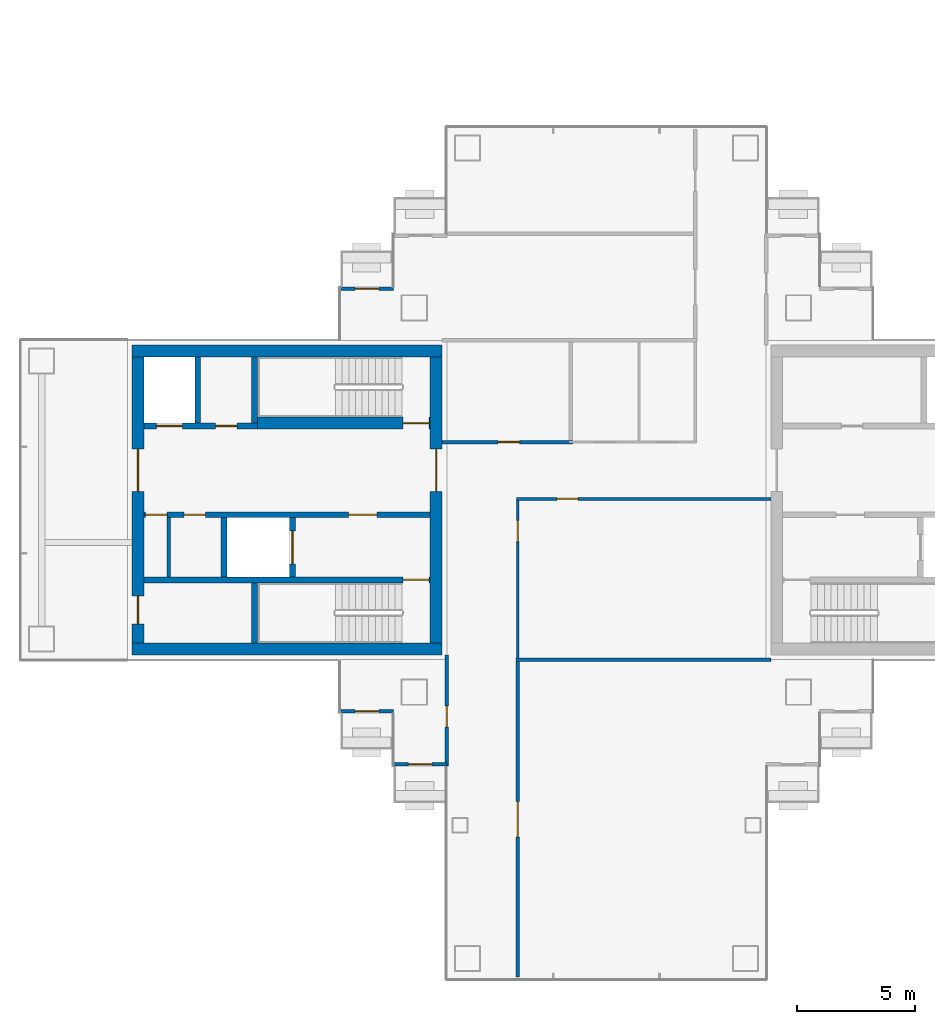
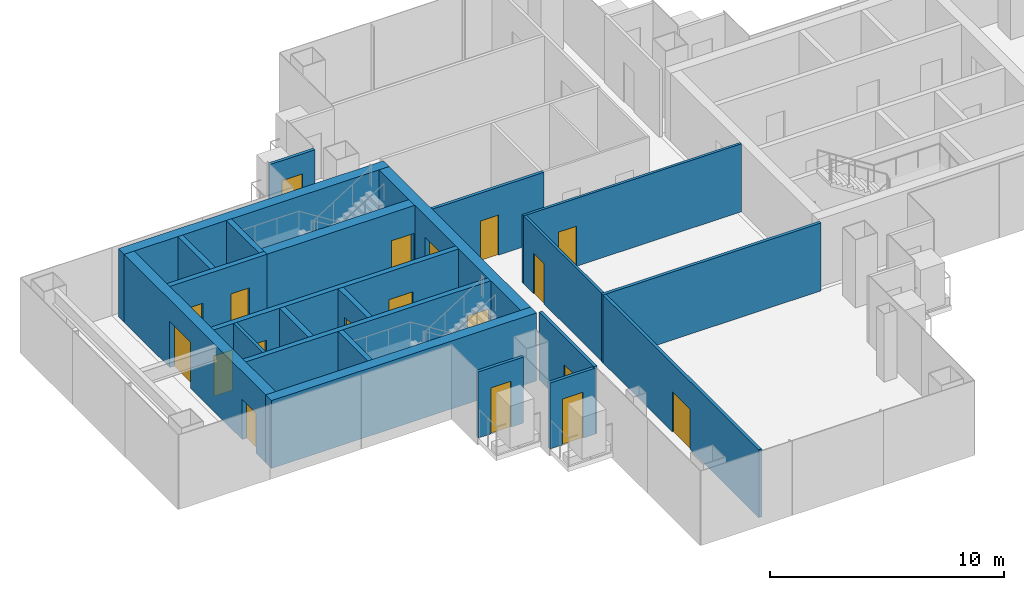
# One storey, part 9 of 16: 23 walls, 19 doors, 19 openings.
"""IFC4 building model written with IfcOpenShell, lengths in metres."""

import ifcopenshell
import ifcopenshell.guid

model = None  # the IFC model being written
_history = None  # IfcOwnerHistory: only IFC2X3 demands one
_inside = {}  # id of a spatial element -> (the spatial element, [elements in it])
_under = {}  # id of a project, library or spatial element -> (it, [spatial elements below it])
_declared = {}  # id of a project -> (the project, [libraries it declares])
_typed = {}  # id of a type object -> (the type object, [elements of that type])
_made_of = {}  # id of a material, layer set ... -> (it, [elements and type objects made of it])


def new_model(schema):
    """Start an empty IFC model of exactly this schema.

    Asked for "IFC4X3", IfcOpenShell would pick the latest addendum, in which some entities
    have other attributes; the version numbers below select the first issue.
    IFC2X3 requires an IfcOwnerHistory on every rooted entity: one is made here for all.
    """
    global model, _history
    if schema == "IFC4X3":
        model = ifcopenshell.file(schema_version=(4, 3, 0, 0))
    else:
        model = ifcopenshell.file(schema=schema)
    _inside.clear()
    _under.clear()
    _declared.clear()
    _typed.clear()
    _made_of.clear()
    _history = None
    if model.schema == "IFC2X3":
        org = make("IfcOrganization", Name="unknown")
        user = make(
            "IfcPersonAndOrganization",
            ThePerson=make("IfcPerson", FamilyName="unknown"),
            TheOrganization=org,
        )
        app = make(
            "IfcApplication",
            ApplicationDeveloper=org,
            Version="unknown",
            ApplicationFullName="unknown",
            ApplicationIdentifier="unknown",
        )
        _history = make(
            "IfcOwnerHistory",
            OwningUser=user,
            OwningApplication=app,
            ChangeAction="ADDED",
            CreationDate=0,
        )
    return model


def make(cls, **values):
    """One entity of the class cls with the attributes given. An attribute that is None is left unset."""
    return model.create_entity(
        cls, **{name: value for name, value in values.items() if value is not None}
    )


def rooted(cls, **values):
    """An entity with a GlobalId (a new one), such as an element, a storey or a relation."""
    return make(cls, GlobalId=ifcopenshell.guid.new(), OwnerHistory=_history, **values)


def si_unit(unit_type, name, prefix=None):
    """IfcSIUnit, for example si_unit("LENGTHUNIT", "METRE", prefix="MILLI")."""
    return make("IfcSIUnit", UnitType=unit_type, Prefix=prefix, Name=name)


def assignment(units):
    """IfcUnitAssignment: the units of a project."""
    return None if units is None else make("IfcUnitAssignment", Units=units)


def point(xyz):
    """IfcCartesianPoint."""
    return None if xyz is None else make("IfcCartesianPoint", Coordinates=xyz)


def direction(xyz):
    """IfcDirection."""
    return None if xyz is None else make("IfcDirection", DirectionRatios=xyz)


def frame(location, z_axis=None, x_axis=None):
    """IfcAxis2Placement3D, a coordinate frame: its origin and axes. An axis left out is left unset."""
    return make(
        "IfcAxis2Placement3D",
        Location=point(location),
        Axis=direction(z_axis),
        RefDirection=direction(x_axis),
    )


def frame_2d(location, x_axis=None):
    """IfcAxis2Placement2D, a coordinate frame in the plane: its origin and x axis."""
    return make(
        "IfcAxis2Placement2D", Location=point(location), RefDirection=direction(x_axis)
    )


def origin():
    """The frame at (0, 0, 0) with its axes left unset."""
    return frame((0.0, 0.0, 0.0))


def place(relative_to, where):
    """IfcLocalPlacement: puts the frame where relative to a parent placement (None: the world)."""
    return make(
        "IfcLocalPlacement", PlacementRelTo=relative_to, RelativePlacement=where
    )


def context(
    kind, dimensions, precision=None, world=None, true_north=None, identifier=None
):
    """IfcGeometricRepresentationContext, for example the 3D "Model" context."""
    return make(
        "IfcGeometricRepresentationContext",
        ContextIdentifier=identifier,
        ContextType=kind,
        CoordinateSpaceDimension=dimensions,
        Precision=precision,
        WorldCoordinateSystem=world,
        TrueNorth=true_north,
    )


def subcontext(parent, identifier, kind, view, scale=None):
    """IfcGeometricRepresentationSubContext, for example "Body" below "Model"."""
    return make(
        "IfcGeometricRepresentationSubContext",
        ContextIdentifier=identifier,
        ContextType=kind,
        ParentContext=parent,
        TargetScale=scale,
        TargetView=view,
    )


def project(units=None, contexts=None):
    """IfcProject with its units and contexts."""
    return rooted(
        "IfcProject",
        Name="project",
        RepresentationContexts=contexts,
        UnitsInContext=assignment(units),
    )


def spatial(cls, under=None, at=None, **own):
    """A site, building, storey or space (cls), placed at a placement, below another one or the project."""
    s = rooted(cls, ObjectPlacement=at, **own)
    if under is not None:
        _under.setdefault(under.id(), (under, []))[1].append(s)
    return s


def profile(cls, at=None, kind="AREA", **sizes):
    """A parametric profile (cls). Its sizes go by their IFC names, for example OverallWidth=200.0."""
    return make(cls, ProfileType=kind, Position=at, **sizes)


def rectangle(**sizes):
    """IfcRectangleProfileDef."""
    return profile("IfcRectangleProfileDef", **sizes)


def extrude(swept, where, along, depth):
    """IfcExtrudedAreaSolid: the profile swept, set in the frame where, extruded along a direction by depth."""
    return make(
        "IfcExtrudedAreaSolid",
        SweptArea=swept,
        Position=where,
        ExtrudedDirection=direction(along),
        Depth=depth,
    )


def shape(context_of_items, identifier, shape_type, items):
    """IfcShapeRepresentation: the items that make up one representation, for example the "Body"."""
    return make(
        "IfcShapeRepresentation",
        ContextOfItems=context_of_items,
        RepresentationIdentifier=identifier,
        RepresentationType=shape_type,
        Items=items,
    )


def material(Name=None, Category=None):
    """IfcMaterial."""
    return make("IfcMaterial", Name=Name, Category=Category)


def layer(
    of_material, thickness, ventilated=None, Name=None, Category=None, Priority=None
):
    """IfcMaterialLayer: one layer of a wall or slab, of a material (None: an air gap)."""
    return make(
        "IfcMaterialLayer",
        Material=of_material,
        LayerThickness=thickness,
        IsVentilated=ventilated,
        Name=Name,
        Category=Category,
        Priority=Priority,
    )


def layer_set(layers, Name=None):
    """IfcMaterialLayerSet."""
    return make("IfcMaterialLayerSet", MaterialLayers=layers, LayerSetName=Name)


def made_of(thing, what):
    """Note that an element or type object is made of a material, layer set ...; save() writes the relation."""
    if what is not None:
        _made_of.setdefault(what.id(), (what, []))[1].append(thing)
    return thing


def type_object(cls, material=None, **own):
    """A type object (cls), such as IfcWallType, which elements share."""
    return made_of(rooted(cls, **own), material)


def element(
    cls,
    number,
    at=None,
    inside=None,
    cuts=None,
    type_object=None,
    material=None,
    context=None,
    identifier="Body",
    shape_type=None,
    held_by="IfcProductDefinitionShape",
    body=None,
    shapes=None,
    **own,
):
    """One element of the class cls, such as IfcWall. Its Tag is "e" and its number.

    at: its placement. inside: the storey or other place that contains it. cuts: it is an
    opening in that element (IfcRelVoidsElement). A single representation is given by context,
    identifier, shape_type and body (its items); several are given by shapes. held_by: the class
    of the entity that holds the representations. save() writes the other relations.
    """
    e = rooted(cls, Tag="e%d" % number, ObjectPlacement=at, **own)
    if body is not None:
        shapes = [shape(context, identifier, shape_type, body)]
    if shapes is not None:
        e.Representation = make(held_by, Representations=shapes)
    if inside is not None:
        _inside.setdefault(inside.id(), (inside, []))[1].append(e)
    if cuts is not None:
        rooted(
            "IfcRelVoidsElement", RelatingBuildingElement=cuts, RelatedOpeningElement=e
        )
    if type_object is not None:
        _typed.setdefault(type_object.id(), (type_object, []))[1].append(e)
    return made_of(e, material)


def fill(opening, filler):
    """IfcRelFillsElement: the door or window that sits in an opening."""
    return rooted(
        "IfcRelFillsElement",
        RelatingOpeningElement=opening,
        RelatedBuildingElement=filler,
    )


def aggregate(whole, parts):
    """IfcRelAggregates: a whole, such as a stair, and the parts it consists of."""
    return rooted("IfcRelAggregates", RelatingObject=whole, RelatedObjects=parts)


def save(model, path):
    """Write the relations noted so far, then the file.

    IfcRelAggregates (storeys below a building ...), IfcRelContainedInSpatialStructure (elements
    in a storey), IfcRelDefinesByType, IfcRelAssociatesMaterial and IfcRelDeclares: one each for
    every whole, place, type object, material and project.
    """
    for whole, parts in _under.values():
        aggregate(whole, parts)
    for where, things in _inside.values():
        rooted(
            "IfcRelContainedInSpatialStructure",
            RelatedElements=things,
            RelatingStructure=where,
        )
    for kind, things in _typed.values():
        rooted("IfcRelDefinesByType", RelatedObjects=things, RelatingType=kind)
    for what, things in _made_of.values():
        rooted("IfcRelAssociatesMaterial", RelatedObjects=things, RelatingMaterial=what)
    for by, libraries in _declared.values():
        rooted("IfcRelDeclares", RelatingContext=by, RelatedDefinitions=libraries)
    model.write(path)


model = new_model("IFC4")

# Units and contexts
model_context = context("Model", 3, precision=1e-05, world=origin(), true_north=direction((0.0, 1.0)))
body_context = subcontext(model_context, "Body", "Model", "MODEL_VIEW")
ifc_project = project(units=[si_unit("LENGTHUNIT", "METRE"), si_unit("AREAUNIT", "SQUARE_METRE"), si_unit("VOLUMEUNIT", "CUBIC_METRE"), si_unit("PLANEANGLEUNIT", "RADIAN"), si_unit("MASSUNIT", "GRAM", prefix="KILO")], contexts=[model_context])

# Site, building, storey
site_placement = place(None, origin())
site = spatial("IfcSite", under=ifc_project, at=site_placement, CompositionType="ELEMENT")
building_placement = place(site_placement, origin())
building = spatial("IfcBuilding", under=site, at=building_placement, Name="Shamsa Quay Exchange Towers", CompositionType="ELEMENT")
storey_placement = place(building_placement, frame((0.0, 0.0, 154.5)))
storey = spatial("IfcBuildingStorey", under=building, at=storey_placement, Name="L36", CompositionType="ELEMENT", Elevation=154.5)

# Wall, opening, door
ifc_material_1 = material(Name="Aluminium EN AW-6063 T6, black anodised, with black enamelled glass infill", Category="aluminium")
ifc_layer_1 = layer(ifc_material_1, 0.14990234375)
ifc_layer_set_1 = layer_set([ifc_layer_1], Name="BALCONY DOOR BAY WALL 150")
wall_type_1 = type_object("IfcWallType", Name="BALCONY DOOR BAY WALL 150", PredefinedType="SOLIDWALL", material=ifc_layer_set_1)
wall_1_placement = place(storey_placement, frame((-45.0, 8.925048828125, 0.0)))
wall_1 = element("IfcWall", 1, at=wall_1_placement, inside=storey, type_object=wall_type_1, Name="Door bay T1-PKWN L36", PredefinedType="SOLIDWALL", context=body_context, shape_type="SweptSolid", body=[
    extrude(rectangle(XDim=2.25, YDim=0.14990234375, at=frame_2d((1.125, 0.0))), origin(), (0.0, 0.0, 1.0), 3.449951171875),
])
opening_1_placement = place(wall_1_placement, frame((0.625, 0.0, 0.0)))
opening_1 = element("IfcOpeningElement", 2, at=opening_1_placement, cuts=wall_1, Name="Opening XD230", PredefinedType="OPENING", context=body_context, shape_type="SweptSolid", body=[
    extrude(rectangle(XDim=1.0, YDim=2.39990234375, at=frame_2d((0.5, 1.199951171875))), frame((0.0, 0.0849609375, 0.0), z_axis=(0.0, -1.0, 0.0), x_axis=(1.0, 0.0, 0.0)), (0.0, 0.0, 1.0), 0.169921875),
])
ifc_material_2 = material(Name="Aluminium EN AW-6063 T6, black anodised, with laminated glass leaf", Category="aluminium")
door_type_1 = type_object("IfcDoorType", Name="BALCONY DOOR 1000x2400", OperationType="SINGLE_SWING_LEFT", PredefinedType="DOOR", material=ifc_material_2)
door_1_placement = place(opening_1_placement, origin())
door_1 = element("IfcDoor", 3, at=door_1_placement, inside=storey, type_object=door_type_1, Name="Balcony door T1-PKWN L36", OperationType="SINGLE_SWING_RIGHT", OverallHeight=2.39990234375, OverallWidth=1.0, PredefinedType="DOOR", context=body_context, shape_type="SweptSolid", body=[
    extrude(rectangle(XDim=1.0, YDim=2.39990234375, at=frame_2d((0.5, 1.199951171875))), frame((0.0, 0.02490234375, 0.0), z_axis=(0.0, -1.0, 0.0), x_axis=(1.0, 0.0, 0.0)), (0.0, 0.0, 1.0), 0.050048828125),
])
fill(opening_1, door_1)

wall_2_placement = place(storey_placement, frame((-42.75, -8.925048828125, 0.0), z_axis=(0.0, 0.0, 1.0), x_axis=(-1.0, 0.0, 0.0)))
wall_2 = element("IfcWall", 4, at=wall_2_placement, inside=storey, type_object=wall_type_1, Name="Door bay T1-PKWS L36", PredefinedType="SOLIDWALL", context=body_context, shape_type="SweptSolid", body=[
    extrude(rectangle(XDim=2.25, YDim=0.14990234375, at=frame_2d((1.125, 0.0))), origin(), (0.0, 0.0, 1.0), 3.449951171875),
])
opening_2_placement = place(wall_2_placement, frame((0.625, 0.0, 0.0)))
opening_2 = element("IfcOpeningElement", 5, at=opening_2_placement, cuts=wall_2, Name="Opening XD231", PredefinedType="OPENING", context=body_context, shape_type="SweptSolid", body=[
    extrude(rectangle(XDim=1.0, YDim=2.39990234375, at=frame_2d((0.5, 1.199951171875))), frame((0.0, 0.0849609375, 0.0), z_axis=(0.0, -1.0, 0.0), x_axis=(1.0, 0.0, 0.0)), (0.0, 0.0, 1.0), 0.169921875),
])
door_2_placement = place(opening_2_placement, origin())
door_2 = element("IfcDoor", 6, at=door_2_placement, inside=storey, type_object=door_type_1, Name="Balcony door T1-PKWS L36", OperationType="SINGLE_SWING_LEFT", OverallHeight=2.39990234375, OverallWidth=1.0, PredefinedType="DOOR", context=body_context, shape_type="SweptSolid", body=[
    extrude(rectangle(XDim=1.0, YDim=2.39990234375, at=frame_2d((0.5, 1.199951171875))), frame((0.0, 0.02490234375, 0.0), z_axis=(0.0, -1.0, 0.0), x_axis=(1.0, 0.0, 0.0)), (0.0, 0.0, 1.0), 0.050048828125),
])
fill(opening_2, door_2)

wall_3_placement = place(storey_placement, frame((-40.5, -11.175048828125, 0.0), z_axis=(0.0, 0.0, 1.0), x_axis=(-1.0, 0.0, 0.0)))
wall_3 = element("IfcWall", 7, at=wall_3_placement, inside=storey, type_object=wall_type_1, Name="Door bay T1-PKWS L36", PredefinedType="SOLIDWALL", context=body_context, shape_type="SweptSolid", body=[
    extrude(rectangle(XDim=2.25, YDim=0.14990234375, at=frame_2d((1.125, 0.0))), origin(), (0.0, 0.0, 1.0), 3.449951171875),
])
opening_3_placement = place(wall_3_placement, frame((0.625, 0.0, 0.0)))
opening_3 = element("IfcOpeningElement", 8, at=opening_3_placement, cuts=wall_3, Name="Opening XD232", PredefinedType="OPENING", context=body_context, shape_type="SweptSolid", body=[
    extrude(rectangle(XDim=1.0, YDim=2.39990234375, at=frame_2d((0.5, 1.199951171875))), frame((0.0, 0.0849609375, 0.0), z_axis=(0.0, -1.0, 0.0), x_axis=(1.0, 0.0, 0.0)), (0.0, 0.0, 1.0), 0.169921875),
])
door_3_placement = place(opening_3_placement, origin())
door_3 = element("IfcDoor", 9, at=door_3_placement, inside=storey, type_object=door_type_1, Name="Balcony door T1-PKWS L36", OperationType="SINGLE_SWING_RIGHT", OverallHeight=2.39990234375, OverallWidth=1.0, PredefinedType="DOOR", context=body_context, shape_type="SweptSolid", body=[
    extrude(rectangle(XDim=1.0, YDim=2.39990234375, at=frame_2d((0.5, 1.199951171875))), frame((0.0, 0.02490234375, 0.0), z_axis=(0.0, -1.0, 0.0), x_axis=(1.0, 0.0, 0.0)), (0.0, 0.0, 1.0), 0.050048828125),
])
fill(opening_3, door_3)

# Walls
ifc_material_3 = material(Name="Concrete C60/75", Category="concrete")
ifc_layer_2 = layer(ifc_material_3, 0.5)
ifc_layer_set_2 = layer_set([ifc_layer_2], Name="CORE WALL 500 C60/75")
wall_type_2 = type_object("IfcWallType", Name="CORE WALL 500 C60/75", PredefinedType="SHEAR", material=ifc_layer_set_2)
for number, where, z_axis, x_axis, name in (
    (10, (-40.699951171875, -6.300048828125, 0.0), (0.0, 0.0, 1.0), (-1.0, 0.0, 0.0), "Core wall T1B-R17-PS"),
    (11, (-40.699951171875, 6.300048828125, 0.0), (0.0, 0.0, 1.0), (-1.0, 0.0, 0.0), "Core wall T1B-R17-PN"),
):
    element("IfcWall", number, at=place(storey_placement, frame(where, z_axis=z_axis, x_axis=x_axis)), inside=storey, type_object=wall_type_2, Name=name, PredefinedType="SHEAR", context=body_context, shape_type="SweptSolid", body=[
        extrude(rectangle(XDim=13.10009765625, YDim=0.5, at=frame_2d((6.550048828125, 0.0))), origin(), (0.0, 0.0, 1.0), 3.550048828125),
    ])

# Wall, opening, door
wall_4_placement = place(storey_placement, frame((-40.949951171875, -6.050048828125, 0.0), z_axis=(0.0, 0.0, 1.0), x_axis=(0.0, 1.0, 0.0)))
wall_4 = element("IfcWall", 12, at=wall_4_placement, inside=storey, type_object=wall_type_2, Name="Core wall T1B-R17-PF", PredefinedType="SHEAR", context=body_context, shape_type="SweptSolid", body=[
    extrude(rectangle(XDim=12.10009765625, YDim=0.5, at=frame_2d((6.050048828125, 0.0))), origin(), (0.0, 0.0, 1.0), 3.550048828125),
])
opening_4_placement = place(wall_4_placement, frame((6.39990234375, 0.0, 0.0)))
opening_4 = element("IfcOpeningElement", 13, at=opening_4_placement, cuts=wall_4, Name="Opening T1B-R17-LBD01", PredefinedType="OPENING", context=body_context, shape_type="SweptSolid", body=[
    extrude(rectangle(XDim=1.800048828125, YDim=2.39990234375, at=frame_2d((0.89990234375, 1.199951171875))), frame((0.0, 0.260009765625, 0.0), z_axis=(0.0, -1.0, 0.0), x_axis=(1.0, 0.0, 0.0)), (0.0, 0.0, 1.0), 0.52001953125),
])
ifc_material_4 = material(Name="Steel, fire rated", Category="steel")
door_type_2 = type_object("IfcDoorType", Name="LIFT LOBBY DOOR PAIR 1800", OperationType="DOUBLE_DOOR_SINGLE_SWING", PredefinedType="DOOR", material=ifc_material_4)
door_4_placement = place(opening_4_placement, origin())
door_4 = element("IfcDoor", 14, at=door_4_placement, inside=storey, type_object=door_type_2, Name="T1B-R17-LBD01", OperationType="DOUBLE_DOOR_SINGLE_SWING", OverallHeight=2.39990234375, OverallWidth=1.800048828125, PredefinedType="DOOR", context=body_context, shape_type="SweptSolid", body=[
    extrude(rectangle(XDim=1.800048828125, YDim=2.39990234375, at=frame_2d((0.89990234375, 1.199951171875))), frame((0.0, 0.02490234375, 0.0), z_axis=(0.0, -1.0, 0.0), x_axis=(1.0, 0.0, 0.0)), (0.0, 0.0, 1.0), 0.050048828125),
])
fill(opening_4, door_4)

# Wall, openings, doors
wall_5_placement = place(storey_placement, frame((-53.550048828125, -6.050048828125, 0.0), z_axis=(0.0, 0.0, 1.0), x_axis=(0.0, 1.0, 0.0)))
wall_5 = element("IfcWall", 15, at=wall_5_placement, inside=storey, type_object=wall_type_2, Name="Core wall T1B-R17-PB", PredefinedType="SHEAR", context=body_context, shape_type="SweptSolid", body=[
    extrude(rectangle(XDim=12.10009765625, YDim=0.5, at=frame_2d((6.050048828125, 0.0))), origin(), (0.0, 0.0, 1.0), 3.550048828125),
])
opening_5_placement = place(wall_5_placement, frame((0.800048828125, 0.0, 0.0)))
opening_5 = element("IfcOpeningElement", 16, at=opening_5_placement, cuts=wall_5, Name="Opening T1B-R17-RD02", PredefinedType="OPENING", context=body_context, shape_type="SweptSolid", body=[
    extrude(rectangle(XDim=1.199951171875, YDim=2.10009765625, at=frame_2d((0.60009765625, 1.050048828125))), frame((0.0, 0.260009765625, 0.0), z_axis=(0.0, -1.0, 0.0), x_axis=(1.0, 0.0, 0.0)), (0.0, 0.0, 1.0), 0.52001953125),
])
opening_6_placement = place(wall_5_placement, frame((6.39990234375, 0.0, 0.0)))
opening_6 = element("IfcOpeningElement", 17, at=opening_6_placement, cuts=wall_5, Name="Opening T1B-R17-LBD03", PredefinedType="OPENING", context=body_context, shape_type="SweptSolid", body=[
    extrude(rectangle(XDim=1.800048828125, YDim=2.39990234375, at=frame_2d((0.89990234375, 1.199951171875))), frame((0.0, 0.260009765625, 0.0), z_axis=(0.0, -1.0, 0.0), x_axis=(1.0, 0.0, 0.0)), (0.0, 0.0, 1.0), 0.52001953125),
])
door_5_placement = place(opening_6_placement, origin())
door_5 = element("IfcDoor", 18, at=door_5_placement, inside=storey, type_object=door_type_2, Name="T1B-R17-LBD03", OperationType="DOUBLE_DOOR_SINGLE_SWING", OverallHeight=2.39990234375, OverallWidth=1.800048828125, PredefinedType="DOOR", context=body_context, shape_type="SweptSolid", body=[
    extrude(rectangle(XDim=1.800048828125, YDim=2.39990234375, at=frame_2d((0.89990234375, 1.199951171875))), frame((0.0, 0.02490234375, 0.0), z_axis=(0.0, -1.0, 0.0), x_axis=(1.0, 0.0, 0.0)), (0.0, 0.0, 1.0), 0.050048828125),
])
fill(opening_6, door_5)
door_type_3 = type_object("IfcDoorType", Name="RISER ACCESS DOOR 1200", OperationType="SINGLE_SWING_LEFT", PredefinedType="DOOR", material=ifc_material_4)
door_6_placement = place(opening_5_placement, origin())
door_6 = element("IfcDoor", 19, at=door_6_placement, inside=storey, type_object=door_type_3, Name="T1B-R17-RD02", OperationType="SINGLE_SWING_LEFT", OverallHeight=2.10009765625, OverallWidth=1.199951171875, PredefinedType="DOOR", context=body_context, shape_type="SweptSolid", body=[
    extrude(rectangle(XDim=1.199951171875, YDim=2.10009765625, at=frame_2d((0.60009765625, 1.050048828125))), frame((0.0, 0.02490234375, 0.0), z_axis=(0.0, -1.0, 0.0), x_axis=(1.0, 0.0, 0.0)), (0.0, 0.0, 1.0), 0.050048828125),
])
fill(opening_5, door_6)

# Wall
ifc_material_5 = material(Name="Gypsum board on steel studs, EI 60", Category="steel")
ifc_layer_3 = layer(ifc_material_5, 0.14990234375)
ifc_layer_set_3 = layer_set([ifc_layer_3], Name="FIRE PARTITION 150")
wall_type_3 = type_object("IfcWallType", Name="FIRE PARTITION 150", PredefinedType="PARTITIONING", material=ifc_layer_set_3)
wall_6_placement = place(storey_placement, frame((-52.25, -3.25, 0.0), z_axis=(0.0, 0.0, 1.0), x_axis=(0.0, 1.0, 0.0)))
element("IfcWall", 20, at=wall_6_placement, inside=storey, type_object=wall_type_3, Name="Partition T1B-R17-EC0", PredefinedType="PARTITIONING", context=body_context, shape_type="SweptSolid", body=[
    extrude(rectangle(XDim=2.5, YDim=0.14990234375, at=frame_2d((1.25, 0.0))), origin(), (0.0, 0.0, 1.0), 3.550048828125),
])

# Wall, opening, door
ifc_material_6 = material(Name="Laminated fire-resisting glass in a metal frame", Category="glass")
ifc_layer_4 = layer(ifc_material_6, 0.125)
ifc_layer_set_4 = layer_set([ifc_layer_4], Name="Glazed partition 125 mm EI 60")
wall_type_4 = type_object("IfcWallType", Name="Glazed partition 125 mm EI 60", PredefinedType="PARTITIONING", material=ifc_layer_set_4)
wall_7_placement = place(storey_placement, frame((-37.5625, 0.0498046875, 0.0)))
wall_7 = element("IfcWall", 21, at=wall_7_placement, inside=storey, type_object=wall_type_4, Name="Partition T1-R17-W06", PredefinedType="PARTITIONING", context=body_context, shape_type="SweptSolid", body=[
    extrude(rectangle(XDim=10.762451171875, YDim=0.125, at=frame_2d((5.38134765625, 0.0))), origin(), (0.0, 0.0, 1.0), 3.550048828125),
])
opening_7_placement = place(wall_7_placement, frame((1.71240234375, 0.0, 0.0)))
opening_7 = element("IfcOpeningElement", 22, at=opening_7_placement, cuts=wall_7, Name="Opening T1-R17-D05", PredefinedType="OPENING", context=body_context, shape_type="SweptSolid", body=[
    extrude(rectangle(XDim=0.89990234375, YDim=2.10009765625, at=frame_2d((0.449951171875, 1.050048828125))), frame((0.0, 0.072509765625, 0.0), z_axis=(0.0, -1.0, 0.0), x_axis=(1.0, 0.0, 0.0)), (0.0, 0.0, 1.0), 0.14501953125),
])
ifc_material_7 = material(Name="Timber door leaf in a metal frame", Category="wood")
door_type_4 = type_object("IfcDoorType", Name="Door 900x2100 FD30S", OperationType="NOTDEFINED", PredefinedType="DOOR", material=ifc_material_7)
door_7_placement = place(opening_7_placement, origin())
door_7 = element("IfcDoor", 23, at=door_7_placement, inside=storey, type_object=door_type_4, Name="Door T1-R17-D05", OperationType="SINGLE_SWING_LEFT", OverallHeight=2.10009765625, OverallWidth=0.89990234375, PredefinedType="DOOR", context=body_context, shape_type="SweptSolid", body=[
    extrude(rectangle(XDim=0.89990234375, YDim=2.10009765625, at=frame_2d((0.449951171875, 1.050048828125))), frame((0.0, 0.02490234375, 0.0), z_axis=(0.0, -1.0, 0.0), x_axis=(1.0, 0.0, 0.0)), (0.0, 0.0, 1.0), 0.050048828125),
])
fill(opening_7, door_7)

wall_8_placement = place(storey_placement, frame((-37.5, -6.675048828125, 0.0), z_axis=(0.0, 0.0, 1.0), x_axis=(0.0, 1.0, 0.0)))
wall_8 = element("IfcWall", 24, at=wall_8_placement, inside=storey, type_object=wall_type_4, Name="Partition T1-R17-W07", PredefinedType="PARTITIONING", context=body_context, shape_type="SweptSolid", body=[
    extrude(rectangle(XDim=6.662353515625, YDim=0.125, at=frame_2d((3.3310546875, 0.0))), origin(), (0.0, 0.0, 1.0), 3.550048828125),
])
opening_8_placement = place(wall_8_placement, frame((4.914794921875, 0.0, 0.0)))
opening_8 = element("IfcOpeningElement", 25, at=opening_8_placement, cuts=wall_8, Name="Opening T1-R17-D03", PredefinedType="OPENING", context=body_context, shape_type="SweptSolid", body=[
    extrude(rectangle(XDim=0.89990234375, YDim=2.10009765625, at=frame_2d((0.449951171875, 1.050048828125))), frame((0.0, 0.072509765625, 0.0), z_axis=(0.0, -1.0, 0.0), x_axis=(1.0, 0.0, 0.0)), (0.0, 0.0, 1.0), 0.14501953125),
])
door_8_placement = place(opening_8_placement, origin())
door_8 = element("IfcDoor", 26, at=door_8_placement, inside=storey, type_object=door_type_4, Name="Door T1-R17-D03", OperationType="SINGLE_SWING_RIGHT", OverallHeight=2.10009765625, OverallWidth=0.89990234375, PredefinedType="DOOR", context=body_context, shape_type="SweptSolid", body=[
    extrude(rectangle(XDim=0.89990234375, YDim=2.10009765625, at=frame_2d((0.449951171875, 1.050048828125))), frame((0.0, 0.02490234375, 0.0), z_axis=(0.0, -1.0, 0.0), x_axis=(1.0, 0.0, 0.0)), (0.0, 0.0, 1.0), 0.050048828125),
])
fill(opening_8, door_8)

ifc_material_8 = material(Name="Gypsum board partition on metal studs")
ifc_layer_5 = layer(ifc_material_8, 0.14990234375)
ifc_layer_set_5 = layer_set([ifc_layer_5], Name="Partition 150 mm EI 60")
wall_type_5 = type_object("IfcWallType", Name="Partition 150 mm EI 60", PredefinedType="PARTITIONING", material=ifc_layer_set_5)
wall_9_placement = place(storey_placement, frame((-40.699951171875, 2.4501953125, 0.0)))
wall_9 = element("IfcWall", 27, at=wall_9_placement, inside=storey, type_object=wall_type_5, Name="Partition T1-R17-W02", PredefinedType="PARTITIONING", context=body_context, shape_type="SweptSolid", body=[
    extrude(rectangle(XDim=5.52490234375, YDim=0.14990234375, at=frame_2d((2.762451171875, 0.0))), origin(), (0.0, 0.0, 1.0), 3.550048828125),
])
opening_9_placement = place(wall_9_placement, frame((2.375, 0.0, 0.0)))
opening_9 = element("IfcOpeningElement", 28, at=opening_9_placement, cuts=wall_9, Name="Opening T1-R17-D02", PredefinedType="OPENING", context=body_context, shape_type="SweptSolid", body=[
    extrude(rectangle(XDim=0.89990234375, YDim=2.10009765625, at=frame_2d((0.449951171875, 1.050048828125))), frame((0.0, 0.0849609375, 0.0), z_axis=(0.0, -1.0, 0.0), x_axis=(1.0, 0.0, 0.0)), (0.0, 0.0, 1.0), 0.169921875),
])
door_9_placement = place(opening_9_placement, origin())
door_9 = element("IfcDoor", 29, at=door_9_placement, inside=storey, type_object=door_type_4, Name="Door T1-R17-D02", OperationType="SINGLE_SWING_RIGHT", OverallHeight=2.10009765625, OverallWidth=0.89990234375, PredefinedType="DOOR", context=body_context, shape_type="SweptSolid", body=[
    extrude(rectangle(XDim=0.89990234375, YDim=2.10009765625, at=frame_2d((0.449951171875, 1.050048828125))), frame((0.0, 0.02490234375, 0.0), z_axis=(0.0, -1.0, 0.0), x_axis=(1.0, 0.0, 0.0)), (0.0, 0.0, 1.0), 0.050048828125),
])
fill(opening_9, door_9)

wall_10_placement = place(storey_placement, frame((-37.5, -6.824951171875, 0.0), z_axis=(0.0, 0.0, 1.0), x_axis=(0.0, -1.0, 0.0)))
wall_10 = element("IfcWall", 30, at=wall_10_placement, inside=storey, type_object=wall_type_5, Name="Partition T1-R17-W05", PredefinedType="PARTITIONING", context=body_context, shape_type="SweptSolid", body=[
    extrude(rectangle(XDim=13.330078125, YDim=0.14990234375, at=frame_2d((6.6650390625, 0.0))), origin(), (0.0, 0.0, 1.0), 3.550048828125),
])
opening_10_placement = place(wall_10_placement, frame((5.925048828125, 0.0, 0.0)))
opening_10 = element("IfcOpeningElement", 31, at=opening_10_placement, cuts=wall_10, Name="Opening T1-R17-D04", PredefinedType="OPENING", context=body_context, shape_type="SweptSolid", body=[
    extrude(rectangle(XDim=1.5, YDim=2.10009765625, at=frame_2d((0.75, 1.050048828125))), frame((0.0, 0.0849609375, 0.0), z_axis=(0.0, -1.0, 0.0), x_axis=(1.0, 0.0, 0.0)), (0.0, 0.0, 1.0), 0.169921875),
])
door_type_5 = type_object("IfcDoorType", Name="Door 1500x2100 FD30S pair", OperationType="NOTDEFINED", PredefinedType="DOOR", material=ifc_material_7)
door_10_placement = place(opening_10_placement, origin())
door_10 = element("IfcDoor", 32, at=door_10_placement, inside=storey, type_object=door_type_5, Name="Door T1-R17-D04", OperationType="DOUBLE_DOOR_SINGLE_SWING", OverallHeight=2.10009765625, OverallWidth=1.5, PredefinedType="DOOR", context=body_context, shape_type="SweptSolid", body=[
    extrude(rectangle(XDim=1.5, YDim=2.10009765625, at=frame_2d((0.75, 1.050048828125))), frame((0.0, 0.02490234375, 0.0), z_axis=(0.0, -1.0, 0.0), x_axis=(1.0, 0.0, 0.0)), (0.0, 0.0, 1.0), 0.050048828125),
])
fill(opening_10, door_10)

wall_11_placement = place(storey_placement, frame((-40.5, -11.25, 0.0), z_axis=(0.0, 0.0, 1.0), x_axis=(0.0, 1.0, 0.0)))
wall_11 = element("IfcWall", 33, at=wall_11_placement, inside=storey, type_object=wall_type_5, Name="Partition T1-R17-W08", PredefinedType="PARTITIONING", context=body_context, shape_type="SweptSolid", body=[
    extrude(rectangle(XDim=4.699951171875, YDim=0.14990234375, at=frame_2d((2.35009765625, 0.0))), origin(), (0.0, 0.0, 1.0), 3.550048828125),
])
opening_11_placement = place(wall_11_placement, frame((1.64990234375, 0.0, 0.0)))
opening_11 = element("IfcOpeningElement", 34, at=opening_11_placement, cuts=wall_11, Name="Opening T1-R17-D01", PredefinedType="OPENING", context=body_context, shape_type="SweptSolid", body=[
    extrude(rectangle(XDim=0.89990234375, YDim=2.10009765625, at=frame_2d((0.449951171875, 1.050048828125))), frame((0.0, 0.0849609375, 0.0), z_axis=(0.0, -1.0, 0.0), x_axis=(1.0, 0.0, 0.0)), (0.0, 0.0, 1.0), 0.169921875),
])
door_11_placement = place(opening_11_placement, origin())
door_11 = element("IfcDoor", 35, at=door_11_placement, inside=storey, type_object=door_type_4, Name="Door T1-R17-D01", OperationType="SINGLE_SWING_LEFT", OverallHeight=2.10009765625, OverallWidth=0.89990234375, PredefinedType="DOOR", context=body_context, shape_type="SweptSolid", body=[
    extrude(rectangle(XDim=0.89990234375, YDim=2.10009765625, at=frame_2d((0.449951171875, 1.050048828125))), frame((0.0, 0.02490234375, 0.0), z_axis=(0.0, -1.0, 0.0), x_axis=(1.0, 0.0, 0.0)), (0.0, 0.0, 1.0), 0.050048828125),
])
fill(opening_11, door_11)

# Wall
wall_12_placement = place(storey_placement, frame((-26.800048828125, -6.75, 0.0), z_axis=(0.0, 0.0, 1.0), x_axis=(-1.0, 0.0, 0.0)))
element("IfcWall", 36, at=wall_12_placement, inside=storey, type_object=wall_type_5, Name="Partition T1-R17-W14", PredefinedType="PARTITIONING", context=body_context, shape_type="SweptSolid", body=[
    extrude(rectangle(XDim=10.77490234375, YDim=0.14990234375, at=frame_2d((5.387451171875, 0.0))), origin(), (0.0, 0.0, 1.0), 3.550048828125),
])

# Wall, opening, door
ifc_material_9 = material(Name="Concrete C50/60", Category="concrete")
ifc_layer_6 = layer(ifc_material_9, 0.25)
ifc_layer_set_6 = layer_set([ifc_layer_6], Name="SHAFT WALL 250 C50/60")
wall_type_6 = type_object("IfcWallType", Name="SHAFT WALL 250 C50/60", PredefinedType="SHEAR", material=ifc_layer_set_6)
wall_13_placement = place(storey_placement, frame((-41.199951171875, -3.375, 0.0), z_axis=(0.0, 0.0, 1.0), x_axis=(-1.0, 0.0, 0.0)))
wall_13 = element("IfcWall", 37, at=wall_13_placement, inside=storey, type_object=wall_type_6, Name="Shaft wall T1B-R17-STL", PredefinedType="SHEAR", context=body_context, shape_type="SweptSolid", body=[
    extrude(rectangle(XDim=12.10009765625, YDim=0.25, at=frame_2d((6.050048828125, 0.0))), origin(), (0.0, 0.0, 1.0), 3.550048828125),
])
opening_12_placement = place(wall_13_placement, frame((0.050048828125, 0.0, 0.0)))
opening_12 = element("IfcOpeningElement", 38, at=opening_12_placement, cuts=wall_13, Name="Opening T1B-R17-SD04", PredefinedType="OPENING", context=body_context, shape_type="SweptSolid", body=[
    extrude(rectangle(XDim=1.10009765625, YDim=2.10009765625, at=frame_2d((0.550048828125, 1.050048828125))), frame((0.0, 0.135009765625, 0.0), z_axis=(0.0, -1.0, 0.0), x_axis=(1.0, 0.0, 0.0)), (0.0, 0.0, 1.0), 0.27001953125),
])
door_type_6 = type_object("IfcDoorType", Name="STAIR DOOR 1100", OperationType="SINGLE_SWING_LEFT", PredefinedType="DOOR", material=ifc_material_4)
door_12_placement = place(opening_12_placement, origin())
door_12 = element("IfcDoor", 39, at=door_12_placement, inside=storey, type_object=door_type_6, Name="T1B-R17-SD04", OperationType="SINGLE_SWING_LEFT", OverallHeight=2.10009765625, OverallWidth=1.10009765625, PredefinedType="DOOR", context=body_context, shape_type="SweptSolid", body=[
    extrude(rectangle(XDim=1.10009765625, YDim=2.10009765625, at=frame_2d((0.550048828125, 1.050048828125))), frame((0.0, 0.02490234375, 0.0), z_axis=(0.0, -1.0, 0.0), x_axis=(1.0, 0.0, 0.0)), (0.0, 0.0, 1.0), 0.050048828125),
])
fill(opening_12, door_12)

# Wall
wall_14_placement = place(storey_placement, frame((-48.625, -6.050048828125, 0.0), z_axis=(0.0, 0.0, 1.0), x_axis=(0.0, 1.0, 0.0)))
element("IfcWall", 40, at=wall_14_placement, inside=storey, type_object=wall_type_6, Name="Shaft wall T1B-R17-STF", PredefinedType="SHEAR", context=body_context, shape_type="SweptSolid", body=[
    extrude(rectangle(XDim=2.550048828125, YDim=0.25, at=frame_2d((1.27490234375, 0.0))), origin(), (0.0, 0.0, 1.0), 3.550048828125),
])

# Wall, openings, doors
wall_15_placement = place(storey_placement, frame((-41.199951171875, -0.625, 0.0), z_axis=(0.0, 0.0, 1.0), x_axis=(-1.0, 0.0, 0.0)))
wall_15 = element("IfcWall", 41, at=wall_15_placement, inside=storey, type_object=wall_type_6, Name="Shaft wall T1B-R17-B", PredefinedType="SHEAR", context=body_context, shape_type="SweptSolid", body=[
    extrude(rectangle(XDim=12.10009765625, YDim=0.25, at=frame_2d((6.050048828125, 0.0))), origin(), (0.0, 0.0, 1.0), 3.550048828125),
])
opening_13_placement = place(wall_15_placement, frame((2.25, 0.0, 0.0)))
opening_13 = element("IfcOpeningElement", 42, at=opening_13_placement, cuts=wall_15, Name="Opening T1B-R17-FD05", PredefinedType="OPENING", context=body_context, shape_type="SweptSolid", body=[
    extrude(rectangle(XDim=1.199951171875, YDim=2.10009765625, at=frame_2d((0.60009765625, 1.050048828125))), frame((0.0, 0.135009765625, 0.0), z_axis=(0.0, -1.0, 0.0), x_axis=(1.0, 0.0, 0.0)), (0.0, 0.0, 1.0), 0.27001953125),
])
opening_14_placement = place(wall_15_placement, frame((9.5, 0.0, 0.0)))
opening_14 = element("IfcOpeningElement", 43, at=opening_14_placement, cuts=wall_15, Name="Opening T1B-R17-SV06", PredefinedType="OPENING", context=body_context, shape_type="SweptSolid", body=[
    extrude(rectangle(XDim=0.89990234375, YDim=2.10009765625, at=frame_2d((0.449951171875, 1.050048828125))), frame((0.0, 0.135009765625, 0.0), z_axis=(0.0, -1.0, 0.0), x_axis=(1.0, 0.0, 0.0)), (0.0, 0.0, 1.0), 0.27001953125),
])
opening_15_placement = place(wall_15_placement, frame((11.125, 0.0, 0.0)))
opening_15 = element("IfcOpeningElement", 44, at=opening_15_placement, cuts=wall_15, Name="Opening T1B-R17-SV07", PredefinedType="OPENING", context=body_context, shape_type="SweptSolid", body=[
    extrude(rectangle(XDim=0.89990234375, YDim=2.10009765625, at=frame_2d((0.449951171875, 1.050048828125))), frame((0.0, 0.135009765625, 0.0), z_axis=(0.0, -1.0, 0.0), x_axis=(1.0, 0.0, 0.0)), (0.0, 0.0, 1.0), 0.27001953125),
])
door_type_7 = type_object("IfcDoorType", Name="FIRE SERVICE LOBBY DOOR 1200", OperationType="SINGLE_SWING_LEFT", PredefinedType="DOOR", material=ifc_material_4)
door_13_placement = place(opening_13_placement, origin())
door_13 = element("IfcDoor", 45, at=door_13_placement, inside=storey, type_object=door_type_7, Name="T1B-R17-FD05", OperationType="SINGLE_SWING_LEFT", OverallHeight=2.10009765625, OverallWidth=1.199951171875, PredefinedType="DOOR", context=body_context, shape_type="SweptSolid", body=[
    extrude(rectangle(XDim=1.199951171875, YDim=2.10009765625, at=frame_2d((0.60009765625, 1.050048828125))), frame((0.0, 0.02490234375, 0.0), z_axis=(0.0, -1.0, 0.0), x_axis=(1.0, 0.0, 0.0)), (0.0, 0.0, 1.0), 0.050048828125),
])
fill(opening_13, door_13)
door_type_8 = type_object("IfcDoorType", Name="SERVICE ROOM DOOR 900", OperationType="SINGLE_SWING_LEFT", PredefinedType="DOOR", material=ifc_material_4)
door_14_placement = place(opening_14_placement, origin())
door_14 = element("IfcDoor", 46, at=door_14_placement, inside=storey, type_object=door_type_8, Name="T1B-R17-SV06", OperationType="SINGLE_SWING_RIGHT", OverallHeight=2.10009765625, OverallWidth=0.89990234375, PredefinedType="DOOR", context=body_context, shape_type="SweptSolid", body=[
    extrude(rectangle(XDim=0.89990234375, YDim=2.10009765625, at=frame_2d((0.449951171875, 1.050048828125))), frame((0.0, 0.02490234375, 0.0), z_axis=(0.0, -1.0, 0.0), x_axis=(1.0, 0.0, 0.0)), (0.0, 0.0, 1.0), 0.050048828125),
])
fill(opening_14, door_14)
door_15_placement = place(opening_15_placement, origin())
door_15 = element("IfcDoor", 47, at=door_15_placement, inside=storey, type_object=door_type_8, Name="T1B-R17-SV07", OperationType="SINGLE_SWING_RIGHT", OverallHeight=2.10009765625, OverallWidth=0.89990234375, PredefinedType="DOOR", context=body_context, shape_type="SweptSolid", body=[
    extrude(rectangle(XDim=0.89990234375, YDim=2.10009765625, at=frame_2d((0.449951171875, 1.050048828125))), frame((0.0, 0.02490234375, 0.0), z_axis=(0.0, -1.0, 0.0), x_axis=(1.0, 0.0, 0.0)), (0.0, 0.0, 1.0), 0.050048828125),
])
fill(opening_15, door_15)

# Wall, opening, door
wall_16_placement = place(storey_placement, frame((-47.02490234375, -3.25, 0.0), z_axis=(0.0, 0.0, 1.0), x_axis=(0.0, 1.0, 0.0)))
wall_16 = element("IfcWall", 48, at=wall_16_placement, inside=storey, type_object=wall_type_6, Name="Shaft wall T1B-R17-FFF", PredefinedType="SHEAR", context=body_context, shape_type="SweptSolid", body=[
    extrude(rectangle(XDim=2.5, YDim=0.25, at=frame_2d((1.25, 0.0))), origin(), (0.0, 0.0, 1.0), 3.550048828125),
])
opening_16_placement = place(wall_16_placement, frame((0.550048828125, 0.0, 0.0)))
opening_16 = element("IfcOpeningElement", 49, at=opening_16_placement, cuts=wall_16, Name="Opening T1B-R17-LDG08", PredefinedType="OPENING", context=body_context, shape_type="SweptSolid", body=[
    extrude(rectangle(XDim=1.39990234375, YDim=2.39990234375, at=frame_2d((0.699951171875, 1.199951171875))), frame((0.0, 0.135009765625, 0.0), z_axis=(0.0, -1.0, 0.0), x_axis=(1.0, 0.0, 0.0)), (0.0, 0.0, 1.0), 0.27001953125),
])
door_type_9 = type_object("IfcDoorType", Name="GOODS LIFT LANDING DOOR 1400", OperationType="SLIDING_TO_LEFT", PredefinedType="DOOR", material=ifc_material_4)
door_16_placement = place(opening_16_placement, origin())
door_16 = element("IfcDoor", 50, at=door_16_placement, inside=storey, type_object=door_type_9, Name="T1B-R17-LDG08", OperationType="SLIDING_TO_LEFT", OverallHeight=2.39990234375, OverallWidth=1.39990234375, PredefinedType="DOOR", context=body_context, shape_type="SweptSolid", body=[
    extrude(rectangle(XDim=1.39990234375, YDim=2.39990234375, at=frame_2d((0.699951171875, 1.199951171875))), frame((0.0, 0.02490234375, 0.0), z_axis=(0.0, -1.0, 0.0), x_axis=(1.0, 0.0, 0.0)), (0.0, 0.0, 1.0), 0.050048828125),
])
fill(opening_16, door_16)

# Wall
wall_17_placement = place(storey_placement, frame((-49.925048828125, -3.25, 0.0), z_axis=(0.0, 0.0, 1.0), x_axis=(0.0, 1.0, 0.0)))
element("IfcWall", 51, at=wall_17_placement, inside=storey, type_object=wall_type_6, Name="Shaft wall T1B-R17-FFB", PredefinedType="SHEAR", context=body_context, shape_type="SweptSolid", body=[
    extrude(rectangle(XDim=2.5, YDim=0.25, at=frame_2d((1.25, 0.0))), origin(), (0.0, 0.0, 1.0), 3.550048828125),
])

# Wall, openings, doors
wall_18_placement = place(storey_placement, frame((-53.300048828125, 3.125, 0.0)))
wall_18 = element("IfcWall", 52, at=wall_18_placement, inside=storey, type_object=wall_type_6, Name="Shaft wall T1B-R17-N2", PredefinedType="SHEAR", context=body_context, shape_type="SweptSolid", body=[
    extrude(rectangle(XDim=4.800048828125, YDim=0.25, at=frame_2d((2.39990234375, 0.0))), origin(), (0.0, 0.0, 1.0), 3.550048828125),
])
opening_17_placement = place(wall_18_placement, frame((0.52490234375, 0.0, 0.0)))
opening_17 = element("IfcOpeningElement", 53, at=opening_17_placement, cuts=wall_18, Name="Opening T1B-R17-LD10", PredefinedType="OPENING", context=body_context, shape_type="SweptSolid", body=[
    extrude(rectangle(XDim=1.10009765625, YDim=2.10009765625, at=frame_2d((0.550048828125, 1.050048828125))), frame((0.0, 0.135009765625, 0.0), z_axis=(0.0, -1.0, 0.0), x_axis=(1.0, 0.0, 0.0)), (0.0, 0.0, 1.0), 0.27001953125),
])
opening_18_placement = place(wall_18_placement, frame((3.02490234375, 0.0, 0.0)))
opening_18 = element("IfcOpeningElement", 54, at=opening_18_placement, cuts=wall_18, Name="Opening T1B-R17-SV11", PredefinedType="OPENING", context=body_context, shape_type="SweptSolid", body=[
    extrude(rectangle(XDim=0.89990234375, YDim=2.10009765625, at=frame_2d((0.449951171875, 1.050048828125))), frame((0.0, 0.135009765625, 0.0), z_axis=(0.0, -1.0, 0.0), x_axis=(1.0, 0.0, 0.0)), (0.0, 0.0, 1.0), 0.27001953125),
])
door_type_10 = type_object("IfcDoorType", Name="LANDING DOOR 1100", OperationType="SLIDING_TO_LEFT", PredefinedType="DOOR", material=ifc_material_4)
door_17_placement = place(opening_17_placement, origin())
door_17 = element("IfcDoor", 55, at=door_17_placement, inside=storey, type_object=door_type_10, Name="T1B-R17-LD10", OperationType="SLIDING_TO_LEFT", OverallHeight=2.10009765625, OverallWidth=1.10009765625, PredefinedType="DOOR", context=body_context, shape_type="SweptSolid", body=[
    extrude(rectangle(XDim=1.10009765625, YDim=2.10009765625, at=frame_2d((0.550048828125, 1.050048828125))), frame((0.0, 0.02490234375, 0.0), z_axis=(0.0, -1.0, 0.0), x_axis=(1.0, 0.0, 0.0)), (0.0, 0.0, 1.0), 0.050048828125),
])
fill(opening_17, door_17)
door_18_placement = place(opening_18_placement, origin())
door_18 = element("IfcDoor", 56, at=door_18_placement, inside=storey, type_object=door_type_8, Name="T1B-R17-SV11", OperationType="SINGLE_SWING_RIGHT", OverallHeight=2.10009765625, OverallWidth=0.89990234375, PredefinedType="DOOR", context=body_context, shape_type="SweptSolid", body=[
    extrude(rectangle(XDim=0.89990234375, YDim=2.10009765625, at=frame_2d((0.449951171875, 1.050048828125))), frame((0.0, 0.02490234375, 0.0), z_axis=(0.0, -1.0, 0.0), x_axis=(1.0, 0.0, 0.0)), (0.0, 0.0, 1.0), 0.050048828125),
])
fill(opening_18, door_18)

# Walls
for number, where, z_axis, x_axis, name in (
    (57, (-48.625, 3.25, 0.0), (0.0, 0.0, 1.0), (0.0, 1.0, 0.0), "Shaft wall T1B-R17-STF2"),
    (58, (-51.02490234375, 3.25, 0.0), (0.0, 0.0, 1.0), (0.0, 1.0, 0.0), "Shaft wall T1B-R17-D0"),
):
    element("IfcWall", number, at=place(storey_placement, frame(where, z_axis=z_axis, x_axis=x_axis)), inside=storey, type_object=wall_type_6, Name=name, PredefinedType="SHEAR", context=body_context, shape_type="SweptSolid", body=[
        extrude(rectangle(XDim=2.800048828125, YDim=0.25, at=frame_2d((1.39990234375, 0.0))), origin(), (0.0, 0.0, 1.0), 3.550048828125),
    ])

# Wall, opening, door
ifc_layer_7 = layer(ifc_material_9, 0.5)
ifc_layer_set_7 = layer_set([ifc_layer_7], Name="SHAFT WALL 500 C50/60")
wall_type_7 = type_object("IfcWallType", Name="SHAFT WALL 500 C50/60", PredefinedType="SHEAR", material=ifc_layer_set_7)
wall_19_placement = place(storey_placement, frame((-48.5, 3.25, 0.0)))
wall_19 = element("IfcWall", 59, at=wall_19_placement, inside=storey, type_object=wall_type_7, Name="Shaft wall T1B-R17-N", PredefinedType="SHEAR", context=body_context, shape_type="SweptSolid", body=[
    extrude(rectangle(XDim=7.300048828125, YDim=0.5, at=frame_2d((3.64990234375, 0.0))), origin(), (0.0, 0.0, 1.0), 3.550048828125),
])
opening_19_placement = place(wall_19_placement, frame((6.14990234375, 0.0, 0.0)))
opening_19 = element("IfcOpeningElement", 60, at=opening_19_placement, cuts=wall_19, Name="Opening T1B-R17-SD09", PredefinedType="OPENING", context=body_context, shape_type="SweptSolid", body=[
    extrude(rectangle(XDim=1.10009765625, YDim=2.10009765625, at=frame_2d((0.550048828125, 1.050048828125))), frame((0.0, 0.260009765625, 0.0), z_axis=(0.0, -1.0, 0.0), x_axis=(1.0, 0.0, 0.0)), (0.0, 0.0, 1.0), 0.52001953125),
])
door_19_placement = place(opening_19_placement, origin())
door_19 = element("IfcDoor", 61, at=door_19_placement, inside=storey, type_object=door_type_6, Name="T1B-R17-SD09", OperationType="SINGLE_SWING_RIGHT", OverallHeight=2.10009765625, OverallWidth=1.10009765625, PredefinedType="DOOR", context=body_context, shape_type="SweptSolid", body=[
    extrude(rectangle(XDim=1.10009765625, YDim=2.10009765625, at=frame_2d((0.550048828125, 1.050048828125))), frame((0.0, 0.02490234375, 0.0), z_axis=(0.0, -1.0, 0.0), x_axis=(1.0, 0.0, 0.0)), (0.0, 0.0, 1.0), 0.050048828125),
])
fill(opening_19, door_19)

save(model, "model.ifc")
